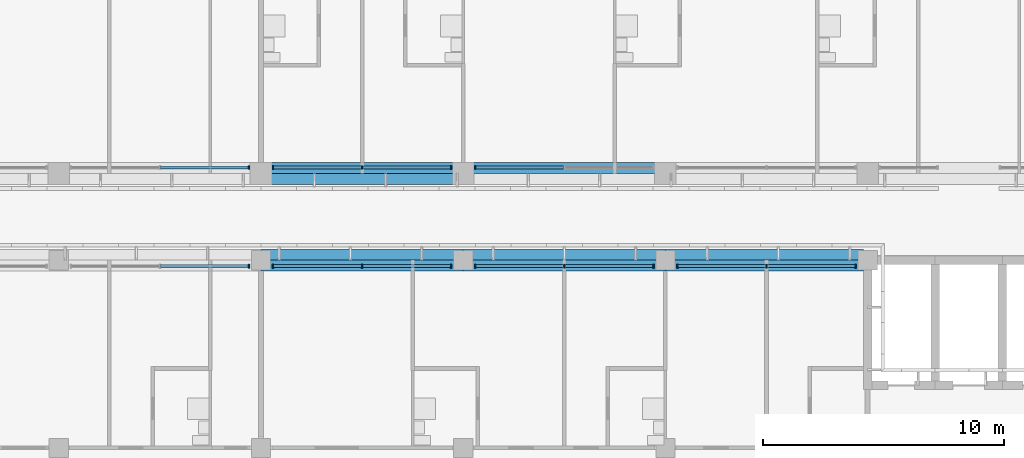
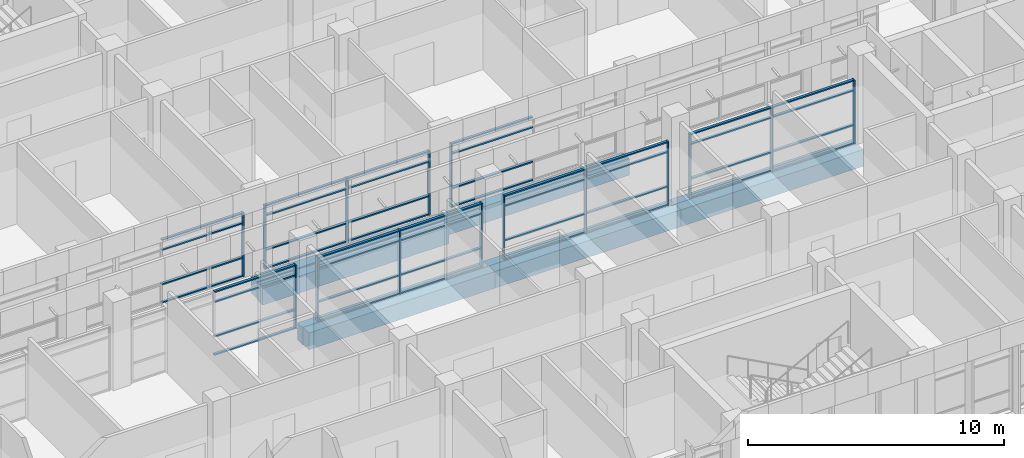
# One storey, part 30 of 137: 59 members, 9 beams, 7 elements without a shape of their own.
"""IFC4 building model written with IfcOpenShell, lengths in metres."""

from ifc_helpers import new_model, si_unit, direction, frame, origin, origin_2d, place, context, subcontext, project, spatial, rectangle, extrude, material, material_profile, profile_set, type_object, element, aggregate, save


model = new_model("IFC4")

# Units and contexts
model_context = context("Model", 3, precision=1e-05, world=origin(), true_north=direction((0.0, 1.0)))
body_context = subcontext(model_context, "Body", "Model", "MODEL_VIEW")
ifc_project = project(units=[si_unit("LENGTHUNIT", "METRE"), si_unit("AREAUNIT", "SQUARE_METRE"), si_unit("VOLUMEUNIT", "CUBIC_METRE"), si_unit("PLANEANGLEUNIT", "RADIAN"), si_unit("MASSUNIT", "GRAM", prefix="KILO")], contexts=[model_context])

# Site, building, storey
site_placement = place(None, origin())
site = spatial("IfcSite", under=ifc_project, at=site_placement, CompositionType="ELEMENT")
building_placement = place(site_placement, origin())
building = spatial("IfcBuilding", under=site, at=building_placement, Name="Bougainvillea Quay General Hospital", CompositionType="ELEMENT")
storey_placement = place(building_placement, frame((0.0, 0.0, 16.800048828125)))
storey = spatial("IfcBuildingStorey", under=building, at=storey_placement, Name="L03", CompositionType="ELEMENT", Elevation=16.800048828125)

# Curtain wall, member
ifc_material_1 = material(Name="Aluminium curtain wall system, powder-coated glazed", Category="aluminium")
curtain_wall_type = type_object("IfcCurtainWallType", Name="Unitised curtain wall CW-3730", PredefinedType="NOTDEFINED", material=ifc_material_1)
curtain_wall_1_placement = place(storey_placement, origin())
curtain_wall_1 = element("IfcCurtainWall", 1, at=curtain_wall_1_placement, inside=storey, type_object=curtain_wall_type, Name="CW-4200 03", PredefinedType="NOTDEFINED")
ifc_material_2 = material(Name="Aluminium mullion, powder-coated charcoal", Category="aluminium")
ifc_material_profile_1 = material_profile(ifc_material_2, rectangle(XDim=0.159912109375, YDim=0.06005859375, at=origin_2d()))
ifc_profile_set_1 = profile_set([ifc_material_profile_1], Name="Aluminium mullion, powder-coated charcoal")
member_type_1 = type_object("IfcMemberType", Name="Curtain wall mullion 160x60", PredefinedType="MULLION", material=ifc_profile_set_1)
member_1_placement = place(storey_placement, frame((108.699951171875, 140.64990234375, 0.0), z_axis=(0.0, 0.0, 1.0), x_axis=(0.0, 1.0, 0.0)))
member_1 = element("IfcMember", 2, at=member_1_placement, type_object=member_type_1, Name="CW-4200 mullion 3", PredefinedType="MULLION", context=body_context, shape_type="SweptSolid", body=[
    extrude(rectangle(XDim=0.159912109375, YDim=0.06005859375, at=origin_2d()), origin(), (0.0, 0.0, 1.0), 3.050048828125),
])

# Curtain wall, members
curtain_wall_2_placement = place(storey_placement, origin())
curtain_wall_2 = element("IfcCurtainWall", 3, at=curtain_wall_2_placement, inside=storey, type_object=curtain_wall_type, Name="CW-4200 04", PredefinedType="NOTDEFINED")
member_2_placement = place(storey_placement, frame((109.699951171875, 140.64990234375, 0.0), z_axis=(0.0, 0.0, 1.0), x_axis=(0.0, 1.0, 0.0)))
member_2 = element("IfcMember", 4, at=member_2_placement, type_object=member_type_1, Name="CW-4200 mullion 1", PredefinedType="MULLION", context=body_context, shape_type="SweptSolid", body=[
    extrude(rectangle(XDim=0.159912109375, YDim=0.06005859375, at=origin_2d()), origin(), (0.0, 0.0, 1.0), 3.050048828125),
])
member_3_placement = place(storey_placement, frame((113.39990234375, 140.64990234375, 0.0), z_axis=(0.0, 0.0, 1.0), x_axis=(0.0, 1.0, 0.0)))
member_3 = element("IfcMember", 5, at=member_3_placement, type_object=member_type_1, Name="CW-4200 mullion 2", PredefinedType="MULLION", context=body_context, shape_type="SweptSolid", body=[
    extrude(rectangle(XDim=0.159912109375, YDim=0.06005859375, at=origin_2d()), origin(), (0.0, 0.0, 1.0), 3.050048828125),
])
member_4_placement = place(storey_placement, frame((117.10009765625, 140.64990234375, 0.0), z_axis=(0.0, 0.0, 1.0), x_axis=(0.0, 1.0, 0.0)))
member_4 = element("IfcMember", 6, at=member_4_placement, type_object=member_type_1, Name="CW-4200 mullion 3", PredefinedType="MULLION", context=body_context, shape_type="SweptSolid", body=[
    extrude(rectangle(XDim=0.159912109375, YDim=0.06005859375, at=origin_2d()), origin(), (0.0, 0.0, 1.0), 3.050048828125),
])

# Curtain wall, member
curtain_wall_3_placement = place(storey_placement, origin())
curtain_wall_3 = element("IfcCurtainWall", 7, at=curtain_wall_3_placement, inside=storey, type_object=curtain_wall_type, Name="CW-4200 05", PredefinedType="NOTDEFINED")
member_5_placement = place(storey_placement, frame((118.10009765625, 140.64990234375, 0.0), z_axis=(0.0, 0.0, 1.0), x_axis=(0.0, 1.0, 0.0)))
member_5 = element("IfcMember", 8, at=member_5_placement, type_object=member_type_1, Name="CW-4200 mullion 1", PredefinedType="MULLION", context=body_context, shape_type="SweptSolid", body=[
    extrude(rectangle(XDim=0.159912109375, YDim=0.06005859375, at=origin_2d()), origin(), (0.0, 0.0, 1.0), 3.050048828125),
])

# Curtain wall, members
curtain_wall_4_placement = place(storey_placement, origin())
curtain_wall_4 = element("IfcCurtainWall", 9, at=curtain_wall_4_placement, inside=storey, type_object=curtain_wall_type, Name="CW-4200 00", PredefinedType="NOTDEFINED")
member_6_placement = place(storey_placement, frame((133.89990234375, 136.550048828125, 0.0), z_axis=(0.0, 0.0, 1.0), x_axis=(0.0, -1.0, 0.0)))
member_6 = element("IfcMember", 10, at=member_6_placement, type_object=member_type_1, Name="CW-4200 mullion 1", PredefinedType="MULLION", context=body_context, shape_type="SweptSolid", body=[
    extrude(rectangle(XDim=0.159912109375, YDim=0.06005859375, at=origin_2d()), origin(), (0.0, 0.0, 1.0), 3.050048828125),
])
member_7_placement = place(storey_placement, frame((130.199951171875, 136.550048828125, 0.0), z_axis=(0.0, 0.0, 1.0), x_axis=(0.0, -1.0, 0.0)))
member_7 = element("IfcMember", 11, at=member_7_placement, type_object=member_type_1, Name="CW-4200 mullion 2", PredefinedType="MULLION", context=body_context, shape_type="SweptSolid", body=[
    extrude(rectangle(XDim=0.159912109375, YDim=0.06005859375, at=origin_2d()), origin(), (0.0, 0.0, 1.0), 3.050048828125),
])
member_8_placement = place(storey_placement, frame((126.5, 136.550048828125, 0.0), z_axis=(0.0, 0.0, 1.0), x_axis=(0.0, -1.0, 0.0)))
member_8 = element("IfcMember", 12, at=member_8_placement, type_object=member_type_1, Name="CW-4200 mullion 3", PredefinedType="MULLION", context=body_context, shape_type="SweptSolid", body=[
    extrude(rectangle(XDim=0.159912109375, YDim=0.06005859375, at=origin_2d()), origin(), (0.0, 0.0, 1.0), 3.050048828125),
])

curtain_wall_5_placement = place(storey_placement, origin())
curtain_wall_5 = element("IfcCurtainWall", 13, at=curtain_wall_5_placement, inside=storey, type_object=curtain_wall_type, Name="CW-4200 01", PredefinedType="NOTDEFINED")
member_9_placement = place(storey_placement, frame((125.5, 136.550048828125, 0.0), z_axis=(0.0, 0.0, 1.0), x_axis=(0.0, -1.0, 0.0)))
member_9 = element("IfcMember", 14, at=member_9_placement, type_object=member_type_1, Name="CW-4200 mullion 1", PredefinedType="MULLION", context=body_context, shape_type="SweptSolid", body=[
    extrude(rectangle(XDim=0.159912109375, YDim=0.06005859375, at=origin_2d()), origin(), (0.0, 0.0, 1.0), 3.050048828125),
])
member_10_placement = place(storey_placement, frame((121.800048828125, 136.550048828125, 0.0), z_axis=(0.0, 0.0, 1.0), x_axis=(0.0, -1.0, 0.0)))
member_10 = element("IfcMember", 15, at=member_10_placement, type_object=member_type_1, Name="CW-4200 mullion 2", PredefinedType="MULLION", context=body_context, shape_type="SweptSolid", body=[
    extrude(rectangle(XDim=0.159912109375, YDim=0.06005859375, at=origin_2d()), origin(), (0.0, 0.0, 1.0), 3.050048828125),
])
member_11_placement = place(storey_placement, frame((118.10009765625, 136.550048828125, 0.0), z_axis=(0.0, 0.0, 1.0), x_axis=(0.0, -1.0, 0.0)))
member_11 = element("IfcMember", 16, at=member_11_placement, type_object=member_type_1, Name="CW-4200 mullion 3", PredefinedType="MULLION", context=body_context, shape_type="SweptSolid", body=[
    extrude(rectangle(XDim=0.159912109375, YDim=0.06005859375, at=origin_2d()), origin(), (0.0, 0.0, 1.0), 3.050048828125),
])

curtain_wall_6_placement = place(storey_placement, origin())
curtain_wall_6 = element("IfcCurtainWall", 17, at=curtain_wall_6_placement, inside=storey, type_object=curtain_wall_type, Name="CW-4200 02", PredefinedType="NOTDEFINED")
member_12_placement = place(storey_placement, frame((117.10009765625, 136.550048828125, 0.0), z_axis=(0.0, 0.0, 1.0), x_axis=(0.0, -1.0, 0.0)))
member_12 = element("IfcMember", 18, at=member_12_placement, type_object=member_type_1, Name="CW-4200 mullion 1", PredefinedType="MULLION", context=body_context, shape_type="SweptSolid", body=[
    extrude(rectangle(XDim=0.159912109375, YDim=0.06005859375, at=origin_2d()), origin(), (0.0, 0.0, 1.0), 3.050048828125),
])
member_13_placement = place(storey_placement, frame((113.39990234375, 136.550048828125, 0.0), z_axis=(0.0, 0.0, 1.0), x_axis=(0.0, -1.0, 0.0)))
member_13 = element("IfcMember", 19, at=member_13_placement, type_object=member_type_1, Name="CW-4200 mullion 2", PredefinedType="MULLION", context=body_context, shape_type="SweptSolid", body=[
    extrude(rectangle(XDim=0.159912109375, YDim=0.06005859375, at=origin_2d()), origin(), (0.0, 0.0, 1.0), 3.050048828125),
])
member_14_placement = place(storey_placement, frame((109.699951171875, 136.550048828125, 0.0), z_axis=(0.0, 0.0, 1.0), x_axis=(0.0, -1.0, 0.0)))
member_14 = element("IfcMember", 20, at=member_14_placement, type_object=member_type_1, Name="CW-4200 mullion 3", PredefinedType="MULLION", context=body_context, shape_type="SweptSolid", body=[
    extrude(rectangle(XDim=0.159912109375, YDim=0.06005859375, at=origin_2d()), origin(), (0.0, 0.0, 1.0), 3.050048828125),
])

# Curtain wall, member
curtain_wall_7_placement = place(storey_placement, origin())
curtain_wall_7 = element("IfcCurtainWall", 21, at=curtain_wall_7_placement, inside=storey, type_object=curtain_wall_type, Name="CW-4200 03", PredefinedType="NOTDEFINED")
member_15_placement = place(storey_placement, frame((108.699951171875, 136.550048828125, 0.0), z_axis=(0.0, 0.0, 1.0), x_axis=(0.0, -1.0, 0.0)))
member_15 = element("IfcMember", 22, at=member_15_placement, type_object=member_type_1, Name="CW-4200 mullion 1", PredefinedType="MULLION", context=body_context, shape_type="SweptSolid", body=[
    extrude(rectangle(XDim=0.159912109375, YDim=0.06005859375, at=origin_2d()), origin(), (0.0, 0.0, 1.0), 3.050048828125),
])

# Member
ifc_material_3 = material(Name="Aluminium transom, powder-coated charcoal", Category="aluminium")
ifc_material_profile_2 = material_profile(ifc_material_3, rectangle(XDim=0.1201171875, YDim=0.06005859375, at=origin_2d()))
ifc_profile_set_2 = profile_set([ifc_material_profile_2], Name="Aluminium transom, powder-coated charcoal")
member_type_2 = type_object("IfcMemberType", Name="Curtain wall transom 120x60", PredefinedType="USERDEFINED", material=ifc_profile_set_2)
member_16_placement = place(storey_placement, frame((105.030029296875, 140.64990234375, 0.030029296875), z_axis=(1.0, 0.0, 0.0), x_axis=(0.0, 1.0, 0.0)))
member_16 = element("IfcMember", 23, at=member_16_placement, type_object=member_type_2, Name="CW-4200 transom 2.1", ObjectType="TRANSOM", PredefinedType="USERDEFINED", context=body_context, shape_type="SweptSolid", body=[
    extrude(rectangle(XDim=0.1201171875, YDim=0.06005859375, at=origin_2d()), origin(), (0.0, 0.0, 1.0), 3.639892578125),
])

member_17_placement = place(storey_placement, frame((105.030029296875, 140.64990234375, 0.89990234375), z_axis=(1.0, 0.0, 0.0), x_axis=(0.0, 1.0, 0.0)))
member_17 = element("IfcMember", 24, at=member_17_placement, type_object=member_type_2, Name="CW-4200 transom 2.2", ObjectType="TRANSOM", PredefinedType="USERDEFINED", context=body_context, shape_type="SweptSolid", body=[
    extrude(rectangle(XDim=0.1201171875, YDim=0.06005859375, at=origin_2d()), origin(), (0.0, 0.0, 1.0), 3.639892578125),
])

member_18_placement = place(storey_placement, frame((105.030029296875, 140.64990234375, 2.550048828125), z_axis=(1.0, 0.0, 0.0), x_axis=(0.0, 1.0, 0.0)))
member_18 = element("IfcMember", 25, at=member_18_placement, type_object=member_type_2, Name="CW-4200 transom 2.3", ObjectType="TRANSOM", PredefinedType="USERDEFINED", context=body_context, shape_type="SweptSolid", body=[
    extrude(rectangle(XDim=0.1201171875, YDim=0.06005859375, at=origin_2d()), origin(), (0.0, 0.0, 1.0), 3.639892578125),
])

member_19_placement = place(storey_placement, frame((105.030029296875, 140.64990234375, 3.02001953125), z_axis=(1.0, 0.0, 0.0), x_axis=(0.0, 1.0, 0.0)))
member_19 = element("IfcMember", 26, at=member_19_placement, type_object=member_type_2, Name="CW-4200 transom 2.4", ObjectType="TRANSOM", PredefinedType="USERDEFINED", context=body_context, shape_type="SweptSolid", body=[
    extrude(rectangle(XDim=0.1201171875, YDim=0.06005859375, at=origin_2d()), origin(), (0.0, 0.0, 1.0), 3.639892578125),
])

aggregate(curtain_wall_1, [member_1, member_16, member_17, member_18, member_19])

member_20_placement = place(storey_placement, frame((109.72998046875, 140.64990234375, 0.030029296875), z_axis=(1.0, 0.0, 0.0), x_axis=(0.0, 1.0, 0.0)))
member_20 = element("IfcMember", 27, at=member_20_placement, type_object=member_type_2, Name="CW-4200 transom 1.1", ObjectType="TRANSOM", PredefinedType="USERDEFINED", context=body_context, shape_type="SweptSolid", body=[
    extrude(rectangle(XDim=0.1201171875, YDim=0.06005859375, at=origin_2d()), origin(), (0.0, 0.0, 1.0), 3.64013671875),
])

member_21_placement = place(storey_placement, frame((109.72998046875, 140.64990234375, 0.89990234375), z_axis=(1.0, 0.0, 0.0), x_axis=(0.0, 1.0, 0.0)))
member_21 = element("IfcMember", 28, at=member_21_placement, type_object=member_type_2, Name="CW-4200 transom 1.2", ObjectType="TRANSOM", PredefinedType="USERDEFINED", context=body_context, shape_type="SweptSolid", body=[
    extrude(rectangle(XDim=0.1201171875, YDim=0.06005859375, at=origin_2d()), origin(), (0.0, 0.0, 1.0), 3.64013671875),
])

member_22_placement = place(storey_placement, frame((109.72998046875, 140.64990234375, 2.550048828125), z_axis=(1.0, 0.0, 0.0), x_axis=(0.0, 1.0, 0.0)))
member_22 = element("IfcMember", 29, at=member_22_placement, type_object=member_type_2, Name="CW-4200 transom 1.3", ObjectType="TRANSOM", PredefinedType="USERDEFINED", context=body_context, shape_type="SweptSolid", body=[
    extrude(rectangle(XDim=0.1201171875, YDim=0.06005859375, at=origin_2d()), origin(), (0.0, 0.0, 1.0), 3.64013671875),
])

member_23_placement = place(storey_placement, frame((109.72998046875, 140.64990234375, 3.02001953125), z_axis=(1.0, 0.0, 0.0), x_axis=(0.0, 1.0, 0.0)))
member_23 = element("IfcMember", 30, at=member_23_placement, type_object=member_type_2, Name="CW-4200 transom 1.4", ObjectType="TRANSOM", PredefinedType="USERDEFINED", context=body_context, shape_type="SweptSolid", body=[
    extrude(rectangle(XDim=0.1201171875, YDim=0.06005859375, at=origin_2d()), origin(), (0.0, 0.0, 1.0), 3.64013671875),
])

member_24_placement = place(storey_placement, frame((113.429931640625, 140.64990234375, 0.030029296875), z_axis=(1.0, 0.0, 0.0), x_axis=(0.0, 1.0, 0.0)))
member_24 = element("IfcMember", 31, at=member_24_placement, type_object=member_type_2, Name="CW-4200 transom 2.1", ObjectType="TRANSOM", PredefinedType="USERDEFINED", context=body_context, shape_type="SweptSolid", body=[
    extrude(rectangle(XDim=0.1201171875, YDim=0.06005859375, at=origin_2d()), origin(), (0.0, 0.0, 1.0), 3.64013671875),
])

member_25_placement = place(storey_placement, frame((113.429931640625, 140.64990234375, 0.89990234375), z_axis=(1.0, 0.0, 0.0), x_axis=(0.0, 1.0, 0.0)))
member_25 = element("IfcMember", 32, at=member_25_placement, type_object=member_type_2, Name="CW-4200 transom 2.2", ObjectType="TRANSOM", PredefinedType="USERDEFINED", context=body_context, shape_type="SweptSolid", body=[
    extrude(rectangle(XDim=0.1201171875, YDim=0.06005859375, at=origin_2d()), origin(), (0.0, 0.0, 1.0), 3.64013671875),
])

member_26_placement = place(storey_placement, frame((113.429931640625, 140.64990234375, 2.550048828125), z_axis=(1.0, 0.0, 0.0), x_axis=(0.0, 1.0, 0.0)))
member_26 = element("IfcMember", 33, at=member_26_placement, type_object=member_type_2, Name="CW-4200 transom 2.3", ObjectType="TRANSOM", PredefinedType="USERDEFINED", context=body_context, shape_type="SweptSolid", body=[
    extrude(rectangle(XDim=0.1201171875, YDim=0.06005859375, at=origin_2d()), origin(), (0.0, 0.0, 1.0), 3.64013671875),
])

member_27_placement = place(storey_placement, frame((113.429931640625, 140.64990234375, 3.02001953125), z_axis=(1.0, 0.0, 0.0), x_axis=(0.0, 1.0, 0.0)))
member_27 = element("IfcMember", 34, at=member_27_placement, type_object=member_type_2, Name="CW-4200 transom 2.4", ObjectType="TRANSOM", PredefinedType="USERDEFINED", context=body_context, shape_type="SweptSolid", body=[
    extrude(rectangle(XDim=0.1201171875, YDim=0.06005859375, at=origin_2d()), origin(), (0.0, 0.0, 1.0), 3.64013671875),
])

aggregate(curtain_wall_2, [member_2, member_3, member_4, member_20, member_21, member_22, member_23, member_24, member_25, member_26, member_27])

member_28_placement = place(storey_placement, frame((118.1298828125, 140.64990234375, 0.030029296875), z_axis=(1.0, 0.0, 0.0), x_axis=(0.0, 1.0, 0.0)))
member_28 = element("IfcMember", 35, at=member_28_placement, type_object=member_type_2, Name="CW-4200 transom 1.1", ObjectType="TRANSOM", PredefinedType="USERDEFINED", context=body_context, shape_type="SweptSolid", body=[
    extrude(rectangle(XDim=0.1201171875, YDim=0.06005859375, at=origin_2d()), origin(), (0.0, 0.0, 1.0), 3.64013671875),
])

member_29_placement = place(storey_placement, frame((118.1298828125, 140.64990234375, 0.89990234375), z_axis=(1.0, 0.0, 0.0), x_axis=(0.0, 1.0, 0.0)))
member_29 = element("IfcMember", 36, at=member_29_placement, type_object=member_type_2, Name="CW-4200 transom 1.2", ObjectType="TRANSOM", PredefinedType="USERDEFINED", context=body_context, shape_type="SweptSolid", body=[
    extrude(rectangle(XDim=0.1201171875, YDim=0.06005859375, at=origin_2d()), origin(), (0.0, 0.0, 1.0), 3.64013671875),
])

member_30_placement = place(storey_placement, frame((118.1298828125, 140.64990234375, 2.550048828125), z_axis=(1.0, 0.0, 0.0), x_axis=(0.0, 1.0, 0.0)))
member_30 = element("IfcMember", 37, at=member_30_placement, type_object=member_type_2, Name="CW-4200 transom 1.3", ObjectType="TRANSOM", PredefinedType="USERDEFINED", context=body_context, shape_type="SweptSolid", body=[
    extrude(rectangle(XDim=0.1201171875, YDim=0.06005859375, at=origin_2d()), origin(), (0.0, 0.0, 1.0), 3.64013671875),
])

member_31_placement = place(storey_placement, frame((118.1298828125, 140.64990234375, 3.02001953125), z_axis=(1.0, 0.0, 0.0), x_axis=(0.0, 1.0, 0.0)))
member_31 = element("IfcMember", 38, at=member_31_placement, type_object=member_type_2, Name="CW-4200 transom 1.4", ObjectType="TRANSOM", PredefinedType="USERDEFINED", context=body_context, shape_type="SweptSolid", body=[
    extrude(rectangle(XDim=0.1201171875, YDim=0.06005859375, at=origin_2d()), origin(), (0.0, 0.0, 1.0), 3.64013671875),
])

aggregate(curtain_wall_3, [member_5, member_28, member_29, member_30, member_31])

member_32_placement = place(storey_placement, frame((133.8701171875, 136.550048828125, 0.030029296875), z_axis=(-1.0, 0.0, 0.0), x_axis=(0.0, -1.0, 0.0)))
member_32 = element("IfcMember", 39, at=member_32_placement, type_object=member_type_2, Name="CW-4200 transom 1.1", ObjectType="TRANSOM", PredefinedType="USERDEFINED", context=body_context, shape_type="SweptSolid", body=[
    extrude(rectangle(XDim=0.1201171875, YDim=0.06005859375, at=origin_2d()), origin(), (0.0, 0.0, 1.0), 3.64013671875),
])

member_33_placement = place(storey_placement, frame((133.8701171875, 136.550048828125, 0.89990234375), z_axis=(-1.0, 0.0, 0.0), x_axis=(0.0, -1.0, 0.0)))
member_33 = element("IfcMember", 40, at=member_33_placement, type_object=member_type_2, Name="CW-4200 transom 1.2", ObjectType="TRANSOM", PredefinedType="USERDEFINED", context=body_context, shape_type="SweptSolid", body=[
    extrude(rectangle(XDim=0.1201171875, YDim=0.06005859375, at=origin_2d()), origin(), (0.0, 0.0, 1.0), 3.64013671875),
])

member_34_placement = place(storey_placement, frame((133.8701171875, 136.550048828125, 2.550048828125), z_axis=(-1.0, 0.0, 0.0), x_axis=(0.0, -1.0, 0.0)))
member_34 = element("IfcMember", 41, at=member_34_placement, type_object=member_type_2, Name="CW-4200 transom 1.3", ObjectType="TRANSOM", PredefinedType="USERDEFINED", context=body_context, shape_type="SweptSolid", body=[
    extrude(rectangle(XDim=0.1201171875, YDim=0.06005859375, at=origin_2d()), origin(), (0.0, 0.0, 1.0), 3.64013671875),
])

member_35_placement = place(storey_placement, frame((133.8701171875, 136.550048828125, 3.02001953125), z_axis=(-1.0, 0.0, 0.0), x_axis=(0.0, -1.0, 0.0)))
member_35 = element("IfcMember", 42, at=member_35_placement, type_object=member_type_2, Name="CW-4200 transom 1.4", ObjectType="TRANSOM", PredefinedType="USERDEFINED", context=body_context, shape_type="SweptSolid", body=[
    extrude(rectangle(XDim=0.1201171875, YDim=0.06005859375, at=origin_2d()), origin(), (0.0, 0.0, 1.0), 3.64013671875),
])

member_36_placement = place(storey_placement, frame((130.169921875, 136.550048828125, 0.030029296875), z_axis=(-1.0, 0.0, 0.0), x_axis=(0.0, -1.0, 0.0)))
member_36 = element("IfcMember", 43, at=member_36_placement, type_object=member_type_2, Name="CW-4200 transom 2.1", ObjectType="TRANSOM", PredefinedType="USERDEFINED", context=body_context, shape_type="SweptSolid", body=[
    extrude(rectangle(XDim=0.1201171875, YDim=0.06005859375, at=origin_2d()), origin(), (0.0, 0.0, 1.0), 3.639892578125),
])

member_37_placement = place(storey_placement, frame((130.169921875, 136.550048828125, 0.89990234375), z_axis=(-1.0, 0.0, 0.0), x_axis=(0.0, -1.0, 0.0)))
member_37 = element("IfcMember", 44, at=member_37_placement, type_object=member_type_2, Name="CW-4200 transom 2.2", ObjectType="TRANSOM", PredefinedType="USERDEFINED", context=body_context, shape_type="SweptSolid", body=[
    extrude(rectangle(XDim=0.1201171875, YDim=0.06005859375, at=origin_2d()), origin(), (0.0, 0.0, 1.0), 3.639892578125),
])

member_38_placement = place(storey_placement, frame((130.169921875, 136.550048828125, 2.550048828125), z_axis=(-1.0, 0.0, 0.0), x_axis=(0.0, -1.0, 0.0)))
member_38 = element("IfcMember", 45, at=member_38_placement, type_object=member_type_2, Name="CW-4200 transom 2.3", ObjectType="TRANSOM", PredefinedType="USERDEFINED", context=body_context, shape_type="SweptSolid", body=[
    extrude(rectangle(XDim=0.1201171875, YDim=0.06005859375, at=origin_2d()), origin(), (0.0, 0.0, 1.0), 3.639892578125),
])

member_39_placement = place(storey_placement, frame((130.169921875, 136.550048828125, 3.02001953125), z_axis=(-1.0, 0.0, 0.0), x_axis=(0.0, -1.0, 0.0)))
member_39 = element("IfcMember", 46, at=member_39_placement, type_object=member_type_2, Name="CW-4200 transom 2.4", ObjectType="TRANSOM", PredefinedType="USERDEFINED", context=body_context, shape_type="SweptSolid", body=[
    extrude(rectangle(XDim=0.1201171875, YDim=0.06005859375, at=origin_2d()), origin(), (0.0, 0.0, 1.0), 3.639892578125),
])

aggregate(curtain_wall_4, [member_6, member_7, member_8, member_32, member_33, member_34, member_35, member_36, member_37, member_38, member_39])

member_40_placement = place(storey_placement, frame((125.469970703125, 136.550048828125, 0.030029296875), z_axis=(-1.0, 0.0, 0.0), x_axis=(0.0, -1.0, 0.0)))
member_40 = element("IfcMember", 47, at=member_40_placement, type_object=member_type_2, Name="CW-4200 transom 1.1", ObjectType="TRANSOM", PredefinedType="USERDEFINED", context=body_context, shape_type="SweptSolid", body=[
    extrude(rectangle(XDim=0.1201171875, YDim=0.06005859375, at=origin_2d()), origin(), (0.0, 0.0, 1.0), 3.639892578125),
])

member_41_placement = place(storey_placement, frame((125.469970703125, 136.550048828125, 0.89990234375), z_axis=(-1.0, 0.0, 0.0), x_axis=(0.0, -1.0, 0.0)))
member_41 = element("IfcMember", 48, at=member_41_placement, type_object=member_type_2, Name="CW-4200 transom 1.2", ObjectType="TRANSOM", PredefinedType="USERDEFINED", context=body_context, shape_type="SweptSolid", body=[
    extrude(rectangle(XDim=0.1201171875, YDim=0.06005859375, at=origin_2d()), origin(), (0.0, 0.0, 1.0), 3.639892578125),
])

member_42_placement = place(storey_placement, frame((125.469970703125, 136.550048828125, 2.550048828125), z_axis=(-1.0, 0.0, 0.0), x_axis=(0.0, -1.0, 0.0)))
member_42 = element("IfcMember", 49, at=member_42_placement, type_object=member_type_2, Name="CW-4200 transom 1.3", ObjectType="TRANSOM", PredefinedType="USERDEFINED", context=body_context, shape_type="SweptSolid", body=[
    extrude(rectangle(XDim=0.1201171875, YDim=0.06005859375, at=origin_2d()), origin(), (0.0, 0.0, 1.0), 3.639892578125),
])

member_43_placement = place(storey_placement, frame((125.469970703125, 136.550048828125, 3.02001953125), z_axis=(-1.0, 0.0, 0.0), x_axis=(0.0, -1.0, 0.0)))
member_43 = element("IfcMember", 50, at=member_43_placement, type_object=member_type_2, Name="CW-4200 transom 1.4", ObjectType="TRANSOM", PredefinedType="USERDEFINED", context=body_context, shape_type="SweptSolid", body=[
    extrude(rectangle(XDim=0.1201171875, YDim=0.06005859375, at=origin_2d()), origin(), (0.0, 0.0, 1.0), 3.639892578125),
])

member_44_placement = place(storey_placement, frame((121.77001953125, 136.550048828125, 0.030029296875), z_axis=(-1.0, 0.0, 0.0), x_axis=(0.0, -1.0, 0.0)))
member_44 = element("IfcMember", 51, at=member_44_placement, type_object=member_type_2, Name="CW-4200 transom 2.1", ObjectType="TRANSOM", PredefinedType="USERDEFINED", context=body_context, shape_type="SweptSolid", body=[
    extrude(rectangle(XDim=0.1201171875, YDim=0.06005859375, at=origin_2d()), origin(), (0.0, 0.0, 1.0), 3.64013671875),
])

member_45_placement = place(storey_placement, frame((121.77001953125, 136.550048828125, 0.89990234375), z_axis=(-1.0, 0.0, 0.0), x_axis=(0.0, -1.0, 0.0)))
member_45 = element("IfcMember", 52, at=member_45_placement, type_object=member_type_2, Name="CW-4200 transom 2.2", ObjectType="TRANSOM", PredefinedType="USERDEFINED", context=body_context, shape_type="SweptSolid", body=[
    extrude(rectangle(XDim=0.1201171875, YDim=0.06005859375, at=origin_2d()), origin(), (0.0, 0.0, 1.0), 3.64013671875),
])

member_46_placement = place(storey_placement, frame((121.77001953125, 136.550048828125, 2.550048828125), z_axis=(-1.0, 0.0, 0.0), x_axis=(0.0, -1.0, 0.0)))
member_46 = element("IfcMember", 53, at=member_46_placement, type_object=member_type_2, Name="CW-4200 transom 2.3", ObjectType="TRANSOM", PredefinedType="USERDEFINED", context=body_context, shape_type="SweptSolid", body=[
    extrude(rectangle(XDim=0.1201171875, YDim=0.06005859375, at=origin_2d()), origin(), (0.0, 0.0, 1.0), 3.64013671875),
])

member_47_placement = place(storey_placement, frame((121.77001953125, 136.550048828125, 3.02001953125), z_axis=(-1.0, 0.0, 0.0), x_axis=(0.0, -1.0, 0.0)))
member_47 = element("IfcMember", 54, at=member_47_placement, type_object=member_type_2, Name="CW-4200 transom 2.4", ObjectType="TRANSOM", PredefinedType="USERDEFINED", context=body_context, shape_type="SweptSolid", body=[
    extrude(rectangle(XDim=0.1201171875, YDim=0.06005859375, at=origin_2d()), origin(), (0.0, 0.0, 1.0), 3.64013671875),
])

aggregate(curtain_wall_5, [member_9, member_10, member_11, member_40, member_41, member_42, member_43, member_44, member_45, member_46, member_47])

member_48_placement = place(storey_placement, frame((117.070068359375, 136.550048828125, 0.030029296875), z_axis=(-1.0, 0.0, 0.0), x_axis=(0.0, -1.0, 0.0)))
member_48 = element("IfcMember", 55, at=member_48_placement, type_object=member_type_2, Name="CW-4200 transom 1.1", ObjectType="TRANSOM", PredefinedType="USERDEFINED", context=body_context, shape_type="SweptSolid", body=[
    extrude(rectangle(XDim=0.1201171875, YDim=0.06005859375, at=origin_2d()), origin(), (0.0, 0.0, 1.0), 3.64013671875),
])

member_49_placement = place(storey_placement, frame((117.070068359375, 136.550048828125, 0.89990234375), z_axis=(-1.0, 0.0, 0.0), x_axis=(0.0, -1.0, 0.0)))
member_49 = element("IfcMember", 56, at=member_49_placement, type_object=member_type_2, Name="CW-4200 transom 1.2", ObjectType="TRANSOM", PredefinedType="USERDEFINED", context=body_context, shape_type="SweptSolid", body=[
    extrude(rectangle(XDim=0.1201171875, YDim=0.06005859375, at=origin_2d()), origin(), (0.0, 0.0, 1.0), 3.64013671875),
])

member_50_placement = place(storey_placement, frame((117.070068359375, 136.550048828125, 2.550048828125), z_axis=(-1.0, 0.0, 0.0), x_axis=(0.0, -1.0, 0.0)))
member_50 = element("IfcMember", 57, at=member_50_placement, type_object=member_type_2, Name="CW-4200 transom 1.3", ObjectType="TRANSOM", PredefinedType="USERDEFINED", context=body_context, shape_type="SweptSolid", body=[
    extrude(rectangle(XDim=0.1201171875, YDim=0.06005859375, at=origin_2d()), origin(), (0.0, 0.0, 1.0), 3.64013671875),
])

member_51_placement = place(storey_placement, frame((117.070068359375, 136.550048828125, 3.02001953125), z_axis=(-1.0, 0.0, 0.0), x_axis=(0.0, -1.0, 0.0)))
member_51 = element("IfcMember", 58, at=member_51_placement, type_object=member_type_2, Name="CW-4200 transom 1.4", ObjectType="TRANSOM", PredefinedType="USERDEFINED", context=body_context, shape_type="SweptSolid", body=[
    extrude(rectangle(XDim=0.1201171875, YDim=0.06005859375, at=origin_2d()), origin(), (0.0, 0.0, 1.0), 3.64013671875),
])

member_52_placement = place(storey_placement, frame((113.3701171875, 136.550048828125, 0.030029296875), z_axis=(-1.0, 0.0, 0.0), x_axis=(0.0, -1.0, 0.0)))
member_52 = element("IfcMember", 59, at=member_52_placement, type_object=member_type_2, Name="CW-4200 transom 2.1", ObjectType="TRANSOM", PredefinedType="USERDEFINED", context=body_context, shape_type="SweptSolid", body=[
    extrude(rectangle(XDim=0.1201171875, YDim=0.06005859375, at=origin_2d()), origin(), (0.0, 0.0, 1.0), 3.64013671875),
])

member_53_placement = place(storey_placement, frame((113.3701171875, 136.550048828125, 0.89990234375), z_axis=(-1.0, 0.0, 0.0), x_axis=(0.0, -1.0, 0.0)))
member_53 = element("IfcMember", 60, at=member_53_placement, type_object=member_type_2, Name="CW-4200 transom 2.2", ObjectType="TRANSOM", PredefinedType="USERDEFINED", context=body_context, shape_type="SweptSolid", body=[
    extrude(rectangle(XDim=0.1201171875, YDim=0.06005859375, at=origin_2d()), origin(), (0.0, 0.0, 1.0), 3.64013671875),
])

member_54_placement = place(storey_placement, frame((113.3701171875, 136.550048828125, 2.550048828125), z_axis=(-1.0, 0.0, 0.0), x_axis=(0.0, -1.0, 0.0)))
member_54 = element("IfcMember", 61, at=member_54_placement, type_object=member_type_2, Name="CW-4200 transom 2.3", ObjectType="TRANSOM", PredefinedType="USERDEFINED", context=body_context, shape_type="SweptSolid", body=[
    extrude(rectangle(XDim=0.1201171875, YDim=0.06005859375, at=origin_2d()), origin(), (0.0, 0.0, 1.0), 3.64013671875),
])

member_55_placement = place(storey_placement, frame((113.3701171875, 136.550048828125, 3.02001953125), z_axis=(-1.0, 0.0, 0.0), x_axis=(0.0, -1.0, 0.0)))
member_55 = element("IfcMember", 62, at=member_55_placement, type_object=member_type_2, Name="CW-4200 transom 2.4", ObjectType="TRANSOM", PredefinedType="USERDEFINED", context=body_context, shape_type="SweptSolid", body=[
    extrude(rectangle(XDim=0.1201171875, YDim=0.06005859375, at=origin_2d()), origin(), (0.0, 0.0, 1.0), 3.64013671875),
])

aggregate(curtain_wall_6, [member_12, member_13, member_14, member_48, member_49, member_50, member_51, member_52, member_53, member_54, member_55])

member_56_placement = place(storey_placement, frame((108.669921875, 136.550048828125, 0.030029296875), z_axis=(-1.0, 0.0, 0.0), x_axis=(0.0, -1.0, 0.0)))
member_56 = element("IfcMember", 63, at=member_56_placement, type_object=member_type_2, Name="CW-4200 transom 1.1", ObjectType="TRANSOM", PredefinedType="USERDEFINED", context=body_context, shape_type="SweptSolid", body=[
    extrude(rectangle(XDim=0.1201171875, YDim=0.06005859375, at=origin_2d()), origin(), (0.0, 0.0, 1.0), 3.639892578125),
])

member_57_placement = place(storey_placement, frame((108.669921875, 136.550048828125, 0.89990234375), z_axis=(-1.0, 0.0, 0.0), x_axis=(0.0, -1.0, 0.0)))
member_57 = element("IfcMember", 64, at=member_57_placement, type_object=member_type_2, Name="CW-4200 transom 1.2", ObjectType="TRANSOM", PredefinedType="USERDEFINED", context=body_context, shape_type="SweptSolid", body=[
    extrude(rectangle(XDim=0.1201171875, YDim=0.06005859375, at=origin_2d()), origin(), (0.0, 0.0, 1.0), 3.639892578125),
])

member_58_placement = place(storey_placement, frame((108.669921875, 136.550048828125, 2.550048828125), z_axis=(-1.0, 0.0, 0.0), x_axis=(0.0, -1.0, 0.0)))
member_58 = element("IfcMember", 65, at=member_58_placement, type_object=member_type_2, Name="CW-4200 transom 1.3", ObjectType="TRANSOM", PredefinedType="USERDEFINED", context=body_context, shape_type="SweptSolid", body=[
    extrude(rectangle(XDim=0.1201171875, YDim=0.06005859375, at=origin_2d()), origin(), (0.0, 0.0, 1.0), 3.639892578125),
])

member_59_placement = place(storey_placement, frame((108.669921875, 136.550048828125, 3.02001953125), z_axis=(-1.0, 0.0, 0.0), x_axis=(0.0, -1.0, 0.0)))
member_59 = element("IfcMember", 66, at=member_59_placement, type_object=member_type_2, Name="CW-4200 transom 1.4", ObjectType="TRANSOM", PredefinedType="USERDEFINED", context=body_context, shape_type="SweptSolid", body=[
    extrude(rectangle(XDim=0.1201171875, YDim=0.06005859375, at=origin_2d()), origin(), (0.0, 0.0, 1.0), 3.639892578125),
])

aggregate(curtain_wall_7, [member_15, member_56, member_57, member_58, member_59])

# Beams
ifc_material_4 = material(Name="Concrete C40", Category="concrete")
ifc_material_profile_3 = material_profile(ifc_material_4, rectangle(XDim=0.449951171875, YDim=0.800048828125, at=origin_2d()))
ifc_profile_set_3 = profile_set([ifc_material_profile_3], Name="Concrete C40")
beam_type = type_object("IfcBeamType", Name="RC BEAM 450x800 C40", PredefinedType="BEAM", material=ifc_profile_set_3)
beam_1_placement = place(storey_placement, frame((109.199951171875, 140.625, -0.699951171875), z_axis=(1.0, 0.0, 0.0), x_axis=(0.0, 1.0, 0.0)))
element("IfcBeam", 67, at=beam_1_placement, inside=storey, type_object=beam_type, Name="Edge beam L03", PredefinedType="BEAM", context=body_context, shape_type="SweptSolid", body=[
    extrude(rectangle(XDim=0.449951171875, YDim=0.800048828125, at=origin_2d()), origin(), (0.0, 0.0, 1.0), 8.400146484375),
])
beam_2_placement = place(storey_placement, frame((117.60009765625, 140.625, -0.699951171875), z_axis=(1.0, 0.0, 0.0), x_axis=(0.0, 1.0, 0.0)))
element("IfcBeam", 68, at=beam_2_placement, inside=storey, type_object=beam_type, Name="Edge beam L03", PredefinedType="BEAM", context=body_context, shape_type="SweptSolid", body=[
    extrude(rectangle(XDim=0.449951171875, YDim=0.800048828125, at=origin_2d()), origin(), (0.0, 0.0, 1.0), 8.39990234375),
])
beam_3_placement = place(storey_placement, frame((134.22509765625, 136.574951171875, -0.699951171875), z_axis=(-1.0, 0.0, 0.0), x_axis=(0.0, -1.0, 0.0)))
element("IfcBeam", 69, at=beam_3_placement, inside=storey, type_object=beam_type, Name="Edge beam L03", PredefinedType="BEAM", context=body_context, shape_type="SweptSolid", body=[
    extrude(rectangle(XDim=0.449951171875, YDim=0.800048828125, at=origin_2d()), origin(), (0.0, 0.0, 1.0), 8.22509765625),
])
beam_4_placement = place(storey_placement, frame((126.0, 136.574951171875, -0.699951171875), z_axis=(-1.0, 0.0, 0.0), x_axis=(0.0, -1.0, 0.0)))
element("IfcBeam", 70, at=beam_4_placement, inside=storey, type_object=beam_type, Name="Edge beam L03", PredefinedType="BEAM", context=body_context, shape_type="SweptSolid", body=[
    extrude(rectangle(XDim=0.449951171875, YDim=0.800048828125, at=origin_2d()), origin(), (0.0, 0.0, 1.0), 8.39990234375),
])
for number, where, z_axis, x_axis, name in (
    (71, (117.60009765625, 136.574951171875, -0.699951171875), (-1.0, 0.0, 0.0), (0.0, -1.0, 0.0), "Edge beam L03"),
    (72, (117.60009765625, 140.175048828125, -0.75), (-1.0, 0.0, 0.0), (0.0, -1.0, 0.0), "Edge beam L03"),
    (73, (109.199951171875, 137.02490234375, -0.75), (1.0, 0.0, 0.0), (0.0, 1.0, 0.0), "Edge beam L03"),
):
    element("IfcBeam", number, at=place(storey_placement, frame(where, z_axis=z_axis, x_axis=x_axis)), inside=storey, type_object=beam_type, Name=name, PredefinedType="BEAM", context=body_context, shape_type="SweptSolid", body=[
        extrude(rectangle(XDim=0.449951171875, YDim=0.800048828125, at=origin_2d()), origin(), (0.0, 0.0, 1.0), 8.400146484375),
    ])
beam_5_placement = place(storey_placement, frame((117.60009765625, 137.02490234375, -0.75), z_axis=(1.0, 0.0, 0.0), x_axis=(0.0, 1.0, 0.0)))
element("IfcBeam", 74, at=beam_5_placement, inside=storey, type_object=beam_type, Name="Edge beam L03", PredefinedType="BEAM", context=body_context, shape_type="SweptSolid", body=[
    extrude(rectangle(XDim=0.449951171875, YDim=0.800048828125, at=origin_2d()), origin(), (0.0, 0.0, 1.0), 8.39990234375),
])
beam_6_placement = place(storey_placement, frame((126.0, 137.02490234375, -0.75), z_axis=(1.0, 0.0, 0.0), x_axis=(0.0, 1.0, 0.0)))
element("IfcBeam", 75, at=beam_6_placement, inside=storey, type_object=beam_type, Name="Edge beam L03", PredefinedType="BEAM", context=body_context, shape_type="SweptSolid", body=[
    extrude(rectangle(XDim=0.449951171875, YDim=0.800048828125, at=origin_2d()), origin(), (0.0, 0.0, 1.0), 8.22509765625),
])

save(model, "model.ifc")
